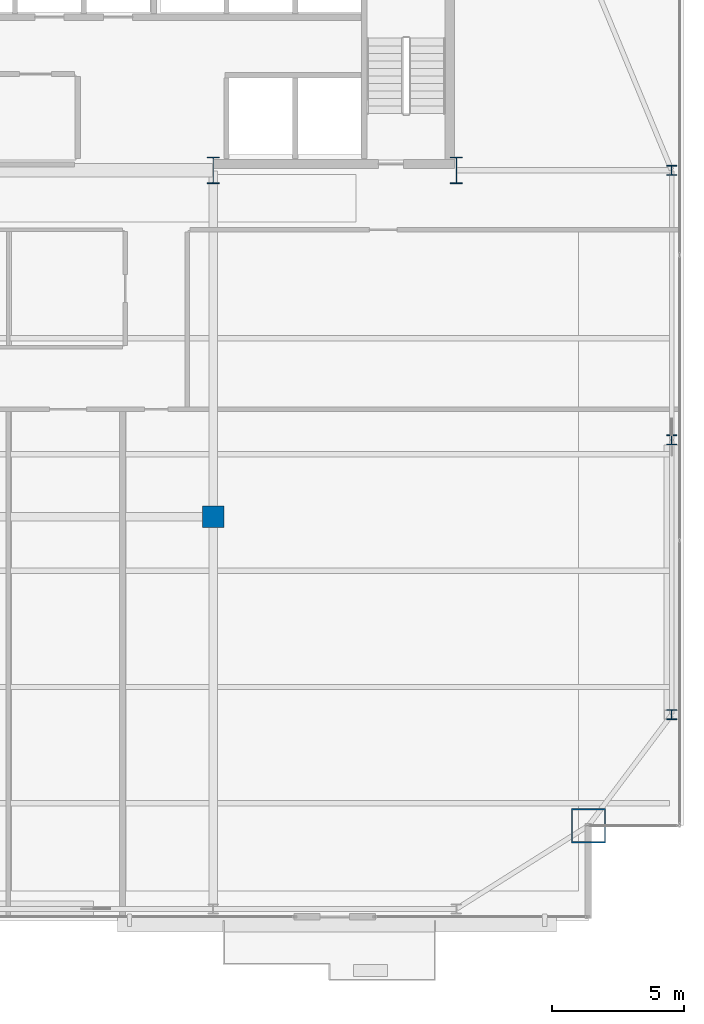
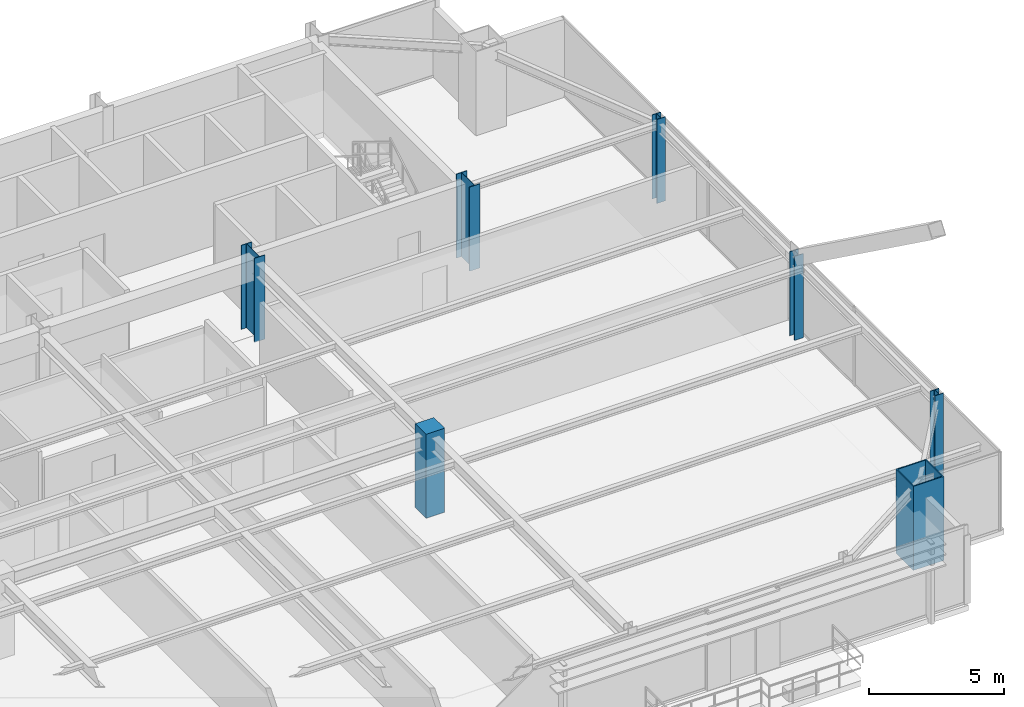
# One storey, part 2 of 32: 7 columns.
"""IFC4 building model written with IfcOpenShell, lengths in metres."""

from ifc_helpers import new_model, si_unit, direction, frame, origin, origin_2d, place, context, subcontext, project, spatial, rectangle, hollow_rectangle, i_section, extrude, source, transform, mapped, material, material_profile, profile_set, type_object, type_shapes, element, save


model = new_model("IFC4")

# Units and contexts
model_context = context("Model", 3, precision=1e-05, world=origin(), true_north=direction((0.0, 1.0)))
body_context = subcontext(model_context, "Body", "Model", "MODEL_VIEW")
ifc_project = project(units=[si_unit("LENGTHUNIT", "METRE"), si_unit("AREAUNIT", "SQUARE_METRE"), si_unit("VOLUMEUNIT", "CUBIC_METRE"), si_unit("PLANEANGLEUNIT", "RADIAN"), si_unit("MASSUNIT", "GRAM", prefix="KILO")], contexts=[model_context])

# Site, building, storey
site_placement = place(None, origin())
site = spatial("IfcSite", under=ifc_project, at=site_placement, CompositionType="ELEMENT")
building_placement = place(site_placement, origin())
building = spatial("IfcBuilding", under=site, at=building_placement, Name="Varnel Quay Broadcast Tower", CompositionType="ELEMENT")
storey_placement = place(building_placement, frame((0.0, 0.0, 164.800048828125)))
storey = spatial("IfcBuildingStorey", under=building, at=storey_placement, Name="L40", CompositionType="ELEMENT", Elevation=164.800048828125)

# Columns
ifc_material_1 = material(Name="Structural Steel CSA G40.21 350WT", Category="steel")
ifc_material_profile_1 = material_profile(ifc_material_1, i_section(OverallWidth=0.449951171875, OverallDepth=1.0, WebThickness=0.01611328125, FlangeThickness=0.030029296875, FilletRadius=0.01611328125, at=origin_2d()), Name="WWF1000X362")
ifc_profile_set_1 = profile_set([ifc_material_profile_1], Name="Structural Steel CSA G40.21 350WT")
column_type_1 = type_object("IfcColumnType", Name="Col_WWF1000X362", PredefinedType="COLUMN", material=ifc_profile_set_1)
shared_shape_1 = source(origin(), body_context, "Body", "SweptSolid", [
    extrude(i_section(OverallWidth=0.449951171875, OverallDepth=1.0, WebThickness=0.01611328125, FlangeThickness=0.030029296875, FilletRadius=0.01611328125, at=origin_2d()), origin(), (0.0, 0.0, 1.0), 3.800048828125),
])
type_shapes(column_type_1, [shared_shape_1])
for number, where, z_axis, x_axis, name in (
    (1, (43.199951171875, 35.60009765625, 0.0), (0.0, 0.0, 1.0), (1.0, 0.0, 0.0), "L40 Column CC-S4"),
    (2, (52.39990234375, 35.60009765625, 0.0), (0.0, 0.0, 1.0), (1.0, 0.0, 0.0), "L40 Column CC-S5"),
):
    element("IfcColumn", number, at=place(storey_placement, frame(where, z_axis=z_axis, x_axis=x_axis)), inside=storey, type_object=column_type_1, Name=name, PredefinedType="COLUMN", context=body_context, shape_type="MappedRepresentation", body=[
        mapped(shared_shape_1, transform((0.0, 0.0, 0.0), x_axis=(1.0, 0.0, 0.0), y_axis=(0.0, 1.0, 0.0), z_axis=(0.0, 0.0, 1.0), scale=1.0)),
    ])
ifc_material_profile_2 = material_profile(ifc_material_1, hollow_rectangle(XDim=1.300048828125, YDim=1.300048828125, WallThickness=0.050048828125, at=origin_2d()), Name="BOX1300X1300X50")
ifc_profile_set_2 = profile_set([ifc_material_profile_2], Name="Structural Steel CSA G40.21 350WT")
column_type_2 = type_object("IfcColumnType", Name="Col_BOX1300X1300X50", PredefinedType="COLUMN", material=ifc_profile_set_2)
shared_shape_2 = source(origin(), body_context, "Body", "SweptSolid", [
    extrude(hollow_rectangle(XDim=1.300048828125, YDim=1.300048828125, WallThickness=0.050048828125, at=origin_2d()), origin(), (0.0, 0.0, 1.0), 3.800048828125),
])
type_shapes(column_type_2, [shared_shape_2])
column_1_placement = place(storey_placement, frame((57.39990234375, 10.800048828125, 0.0), z_axis=(0.0, 0.0, 1.0), x_axis=(1.0, 0.0, 0.0)))
element("IfcColumn", 3, at=column_1_placement, inside=storey, type_object=column_type_2, Name="L40 Column MC-SE", PredefinedType="COLUMN", context=body_context, shape_type="MappedRepresentation", body=[
    mapped(shared_shape_2, transform((0.0, 0.0, 0.0), x_axis=(1.0, 0.0, 0.0), y_axis=(0.0, 1.0, 0.0), z_axis=(0.0, 0.0, 1.0), scale=1.0)),
])
ifc_material_2 = material(Name="Structural Steel CSA G40.21 350W", Category="steel")
ifc_material_profile_3 = material_profile(ifc_material_2, i_section(OverallWidth=0.3740234375, OverallDepth=0.3720703125, WebThickness=0.016357421875, FlangeThickness=0.026123046875, FilletRadius=0.01611328125, at=origin_2d()), Name="W360X196")
ifc_profile_set_3 = profile_set([ifc_material_profile_3], Name="Structural Steel CSA G40.21 350W")
column_type_3 = type_object("IfcColumnType", Name="Col_W360X196", PredefinedType="COLUMN", material=ifc_profile_set_3)
shared_shape_3 = source(origin(), body_context, "Body", "SweptSolid", [
    extrude(i_section(OverallWidth=0.3740234375, OverallDepth=0.3720703125, WebThickness=0.016357421875, FlangeThickness=0.026123046875, FilletRadius=0.01611328125, at=origin_2d()), origin(), (0.0, 0.0, 1.0), 3.800048828125),
])
type_shapes(column_type_3, [shared_shape_3])
for number, where, z_axis, x_axis, name in (
    (4, (60.550048828125, 15.0, 0.0), (0.0, 0.0, 1.0), (1.0, 0.0, 0.0), "L40 Column TC-E1"),
    (5, (60.550048828125, 25.39990234375, 0.0), (0.0, 0.0, 1.0), (1.0, 0.0, 0.0), "L40 Column TC-E2"),
    (6, (60.550048828125, 35.60009765625, 0.0), (0.0, 0.0, 1.0), (1.0, 0.0, 0.0), "L40 Column TC-E3"),
):
    element("IfcColumn", number, at=place(storey_placement, frame(where, z_axis=z_axis, x_axis=x_axis)), inside=storey, type_object=column_type_3, Name=name, PredefinedType="COLUMN", context=body_context, shape_type="MappedRepresentation", body=[
        mapped(shared_shape_3, transform((0.0, 0.0, 0.0), x_axis=(1.0, 0.0, 0.0), y_axis=(0.0, 1.0, 0.0), z_axis=(0.0, 0.0, 1.0), scale=1.0)),
    ])
ifc_material_3 = material(Name="Concrete CSA A23.3 C50/60", Category="concrete")
ifc_material_profile_4 = material_profile(ifc_material_3, rectangle(XDim=0.800048828125, YDim=0.800048828125, at=origin_2d()), Name="RC800X800")
ifc_profile_set_4 = profile_set([ifc_material_profile_4], Name="Concrete CSA A23.3 C50/60")
column_type_4 = type_object("IfcColumnType", Name="Col_RC800X800", PredefinedType="COLUMN", material=ifc_profile_set_4)
shared_shape_4 = source(origin(), body_context, "Body", "SweptSolid", [
    extrude(rectangle(XDim=0.800048828125, YDim=0.800048828125, at=origin_2d()), origin(), (0.0, 0.0, 1.0), 3.800048828125),
])
type_shapes(column_type_4, [shared_shape_4])
column_2_placement = place(storey_placement, frame((43.199951171875, 22.489990234375, 0.0), z_axis=(0.0, 0.0, 1.0), x_axis=(1.0, 0.0, 0.0)))
element("IfcColumn", 7, at=column_2_placement, inside=storey, type_object=column_type_4, Name="L40 Column IC-02", PredefinedType="COLUMN", context=body_context, shape_type="MappedRepresentation", body=[
    mapped(shared_shape_4, transform((0.0, 0.0, 0.0), x_axis=(1.0, 0.0, 0.0), y_axis=(0.0, 1.0, 0.0), z_axis=(0.0, 0.0, 1.0), scale=1.0)),
])

save(model, "model.ifc")
